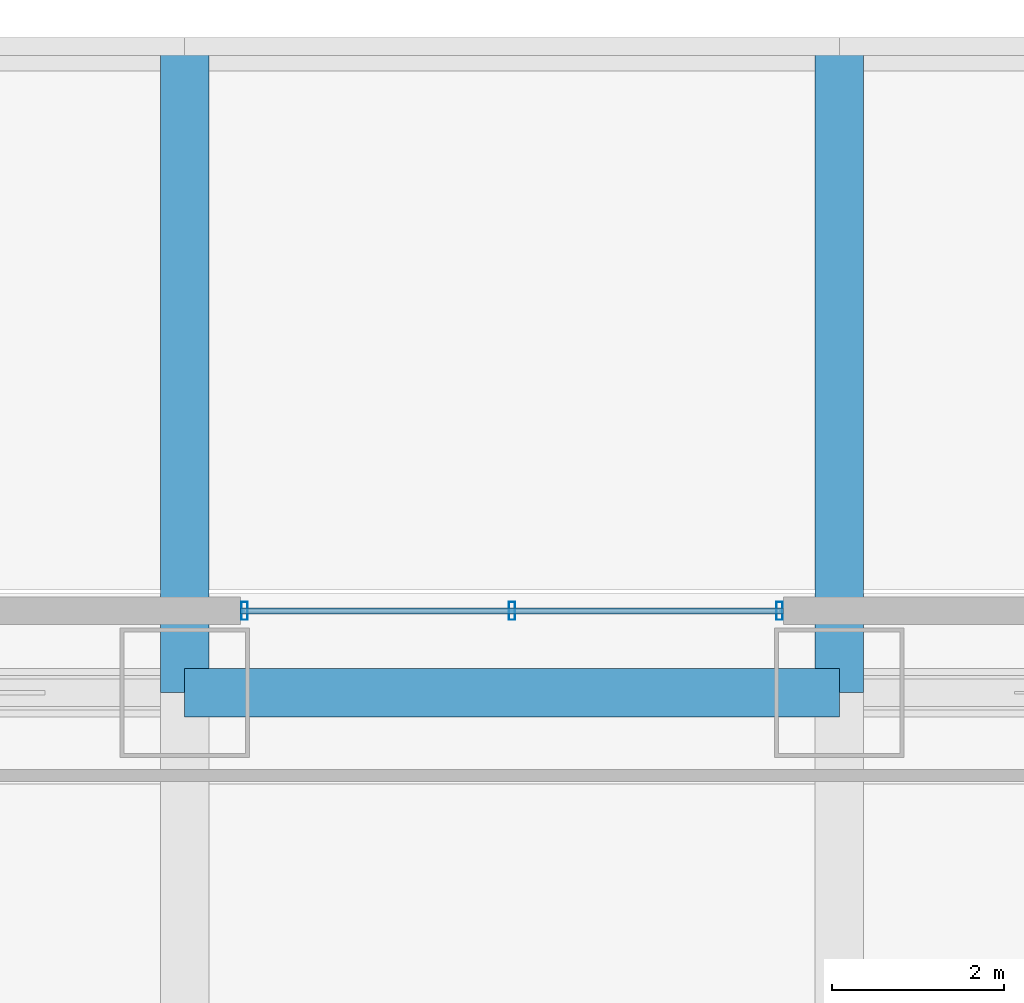
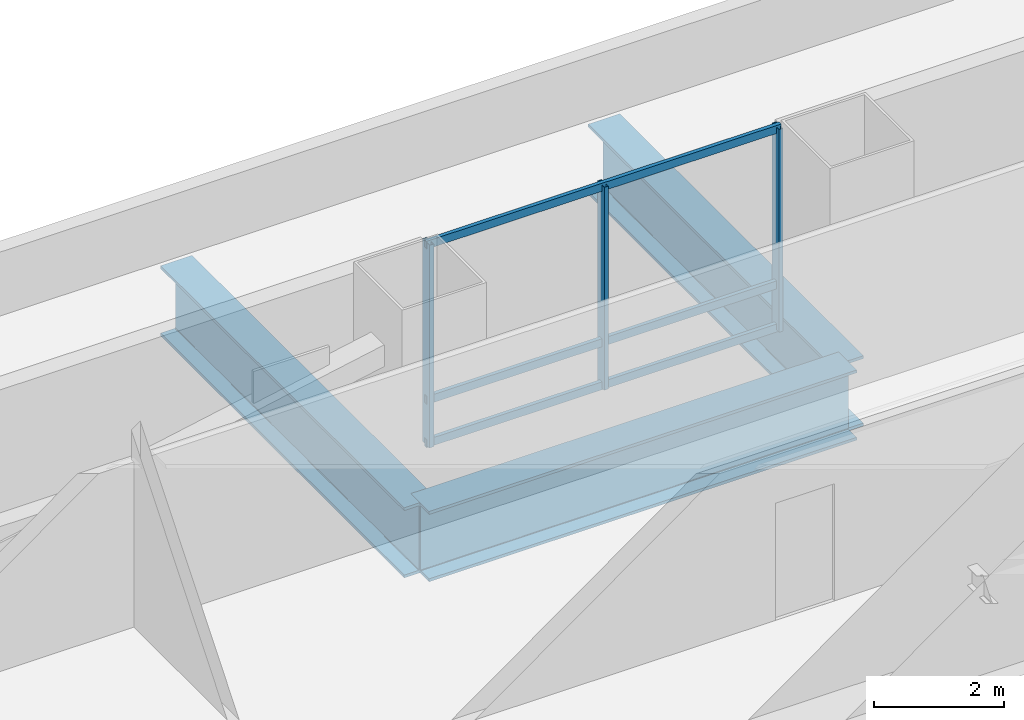
# One storey, part 8 of 30: 6 members, 3 beams, 1 element without a shape of its own.
"""IFC4 building model written with IfcOpenShell, lengths in metres."""

from ifc_helpers import new_model, si_unit, direction, frame, origin, origin_2d, place, context, subcontext, project, spatial, hollow_rectangle, i_section, extrude, material, material_profile, profile_set, type_object, element, aggregate, save


model = new_model("IFC4")

# Units and contexts
model_context = context("Model", 3, precision=1e-05, world=origin(), true_north=direction((0.0, 1.0)))
body_context = subcontext(model_context, "Body", "Model", "MODEL_VIEW")
ifc_project = project(units=[si_unit("LENGTHUNIT", "METRE"), si_unit("AREAUNIT", "SQUARE_METRE"), si_unit("VOLUMEUNIT", "CUBIC_METRE"), si_unit("PLANEANGLEUNIT", "RADIAN"), si_unit("MASSUNIT", "GRAM", prefix="KILO")], contexts=[model_context])

# Site, building, storey
site_placement = place(None, origin())
site = spatial("IfcSite", under=ifc_project, at=site_placement, CompositionType="ELEMENT")
building_placement = place(site_placement, origin())
building = spatial("IfcBuilding", under=site, at=building_placement, Name="Punatoya Terracotta Tower", CompositionType="ELEMENT")
storey_placement = place(building_placement, frame((0.0, 0.0, 28.199951171875)))
storey = spatial("IfcBuildingStorey", under=building, at=storey_placement, Name="L05", CompositionType="ELEMENT", Elevation=28.199951171875)

# Beams
ifc_material_1 = material(Name="Steel S460", Category="steel")
ifc_material_profile_1 = material_profile(ifc_material_1, i_section(OverallWidth=0.56005859375, OverallDepth=1.320068359375, WebThickness=0.035888671875, FlangeThickness=0.054931640625, FilletRadius=0.01806640625, at=origin_2d()))
ifc_profile_set_1 = profile_set([ifc_material_profile_1], Name="Steel S460")
beam_type = type_object("IfcBeamType", Name="BM-TG-BLK", PredefinedType="BEAM", material=ifc_profile_set_1)
beam_placement = place(storey_placement, frame((-3.800048828125, 17.5, -0.93994140625), z_axis=(1.0, 0.0, 0.0), x_axis=(0.0, 1.0, 0.0)))
element("IfcBeam", 1, at=beam_placement, inside=storey, type_object=beam_type, Name="BM-L05-RG-N2", PredefinedType="BEAM", context=body_context, shape_type="SweptSolid", body=[
    extrude(i_section(OverallWidth=0.56005859375, OverallDepth=1.320068359375, WebThickness=0.035888671875, FlangeThickness=0.054931640625, FilletRadius=0.01806640625, at=origin_2d()), origin(), (0.0, 0.0, 1.0), 7.60009765625),
])
for number, where, z_axis, x_axis, name in (
    (2, (-3.800048828125, 17.5, -0.93994140625), (0.0, 1.0, 0.0), (-1.0, 0.0, 0.0), "BM-L05-PRN--3"),
    (3, (3.800048828125, 17.5, -0.93994140625), (0.0, 1.0, 0.0), (-1.0, 0.0, 0.0), "BM-L05-PRN-3"),
):
    element("IfcBeam", number, at=place(storey_placement, frame(where, z_axis=z_axis, x_axis=x_axis)), inside=storey, type_object=beam_type, Name=name, PredefinedType="BEAM", context=body_context, shape_type="SweptSolid", body=[
        extrude(i_section(OverallWidth=0.56005859375, OverallDepth=1.320068359375, WebThickness=0.035888671875, FlangeThickness=0.054931640625, FilletRadius=0.01806640625, at=origin_2d()), origin(), (0.0, 0.0, 1.0), 7.5),
    ])

# Curtain wall, members
ifc_material_2 = material(Name="Aluminium 6063-T6 + Double Low-E Glass", Category="aluminium")
curtain_wall_type = type_object("IfcCurtainWallType", Name="CW-M1", PredefinedType="NOTDEFINED", material=ifc_material_2)
curtain_wall_placement = place(storey_placement, origin())
curtain_wall = element("IfcCurtainWall", 4, at=curtain_wall_placement, inside=storey, type_object=curtain_wall_type, Name="L05 Curtain Wall CW-L05-N09-1", PredefinedType="NOTDEFINED")
ifc_material_3 = material(Name="Aluminium 6063-T6", Category="aluminium")
ifc_material_profile_2 = material_profile(ifc_material_3, hollow_rectangle(XDim=0.074951171875, YDim=0.2099609375, WallThickness=0.00439453125, at=origin_2d()))
ifc_profile_set_2 = profile_set([ifc_material_profile_2], Name="Aluminium 6063-T6")
member_type_1 = type_object("IfcMemberType", Name="CW-MUL-M1", PredefinedType="MULLION", material=ifc_profile_set_2)
member_1_placement = place(storey_placement, frame((3.10498046875, 18.449951171875, 0.0), z_axis=(0.0, 0.0, 1.0), x_axis=(1.0, 0.0, 0.0)))
member_1 = element("IfcMember", 5, at=member_1_placement, type_object=member_type_1, Name="CW-L05-N09-1 Mullion 00", PredefinedType="MULLION", context=body_context, shape_type="SweptSolid", body=[
    extrude(hollow_rectangle(XDim=0.074951171875, YDim=0.2099609375, WallThickness=0.00439453125, at=origin_2d()), origin(), (0.0, 0.0, 1.0), 3.81005859375),
])
member_2_placement = place(storey_placement, frame((0.0, 18.449951171875, 0.0), z_axis=(0.0, 0.0, 1.0), x_axis=(1.0, 0.0, 0.0)))
member_2 = element("IfcMember", 6, at=member_2_placement, type_object=member_type_1, Name="CW-L05-N09-1 Mullion 01", PredefinedType="MULLION", context=body_context, shape_type="SweptSolid", body=[
    extrude(hollow_rectangle(XDim=0.074951171875, YDim=0.2099609375, WallThickness=0.00439453125, at=origin_2d()), origin(), (0.0, 0.0, 1.0), 3.81005859375),
])
member_3_placement = place(storey_placement, frame((-3.10498046875, 18.449951171875, 0.0), z_axis=(0.0, 0.0, 1.0), x_axis=(1.0, 0.0, 0.0)))
member_3 = element("IfcMember", 7, at=member_3_placement, type_object=member_type_1, Name="CW-L05-N09-1 Mullion 02", PredefinedType="MULLION", context=body_context, shape_type="SweptSolid", body=[
    extrude(hollow_rectangle(XDim=0.074951171875, YDim=0.2099609375, WallThickness=0.00439453125, at=origin_2d()), origin(), (0.0, 0.0, 1.0), 3.81005859375),
])
ifc_material_profile_3 = material_profile(ifc_material_3, hollow_rectangle(XDim=0.068115234375, YDim=0.14990234375, WallThickness=0.00390625, at=origin_2d()))
ifc_profile_set_3 = profile_set([ifc_material_profile_3], Name="Aluminium 6063-T6")
member_type_2 = type_object("IfcMemberType", Name="CW-TRN-TYP", PredefinedType="USERDEFINED", material=ifc_profile_set_3)
member_4_placement = place(storey_placement, frame((3.14990234375, 18.449951171875, 0.0400390625), z_axis=(-1.0, 0.0, 0.0), x_axis=(0.0, -1.0, 0.0)))
member_4 = element("IfcMember", 8, at=member_4_placement, type_object=member_type_2, Name="CW-L05-N09-1 Transom 1", ObjectType="TRANSOM", PredefinedType="USERDEFINED", context=body_context, shape_type="SweptSolid", body=[
    extrude(hollow_rectangle(XDim=0.068115234375, YDim=0.14990234375, WallThickness=0.00390625, at=origin_2d()), origin(), (0.0, 0.0, 1.0), 6.2998046875),
])
member_5_placement = place(storey_placement, frame((3.14990234375, 18.449951171875, 0.85009765625), z_axis=(-1.0, 0.0, 0.0), x_axis=(0.0, -1.0, 0.0)))
member_5 = element("IfcMember", 9, at=member_5_placement, type_object=member_type_2, Name="CW-L05-N09-1 Transom 2", ObjectType="TRANSOM", PredefinedType="USERDEFINED", context=body_context, shape_type="SweptSolid", body=[
    extrude(hollow_rectangle(XDim=0.068115234375, YDim=0.14990234375, WallThickness=0.00390625, at=origin_2d()), origin(), (0.0, 0.0, 1.0), 6.2998046875),
])
member_6_placement = place(storey_placement, frame((3.14990234375, 18.449951171875, 3.77001953125), z_axis=(-1.0, 0.0, 0.0), x_axis=(0.0, -1.0, 0.0)))
member_6 = element("IfcMember", 10, at=member_6_placement, type_object=member_type_2, Name="CW-L05-N09-1 Transom 3", ObjectType="TRANSOM", PredefinedType="USERDEFINED", context=body_context, shape_type="SweptSolid", body=[
    extrude(hollow_rectangle(XDim=0.068115234375, YDim=0.14990234375, WallThickness=0.00390625, at=origin_2d()), origin(), (0.0, 0.0, 1.0), 6.2998046875),
])
aggregate(curtain_wall, [member_1, member_2, member_3, member_4, member_5, member_6])

save(model, "model.ifc")
